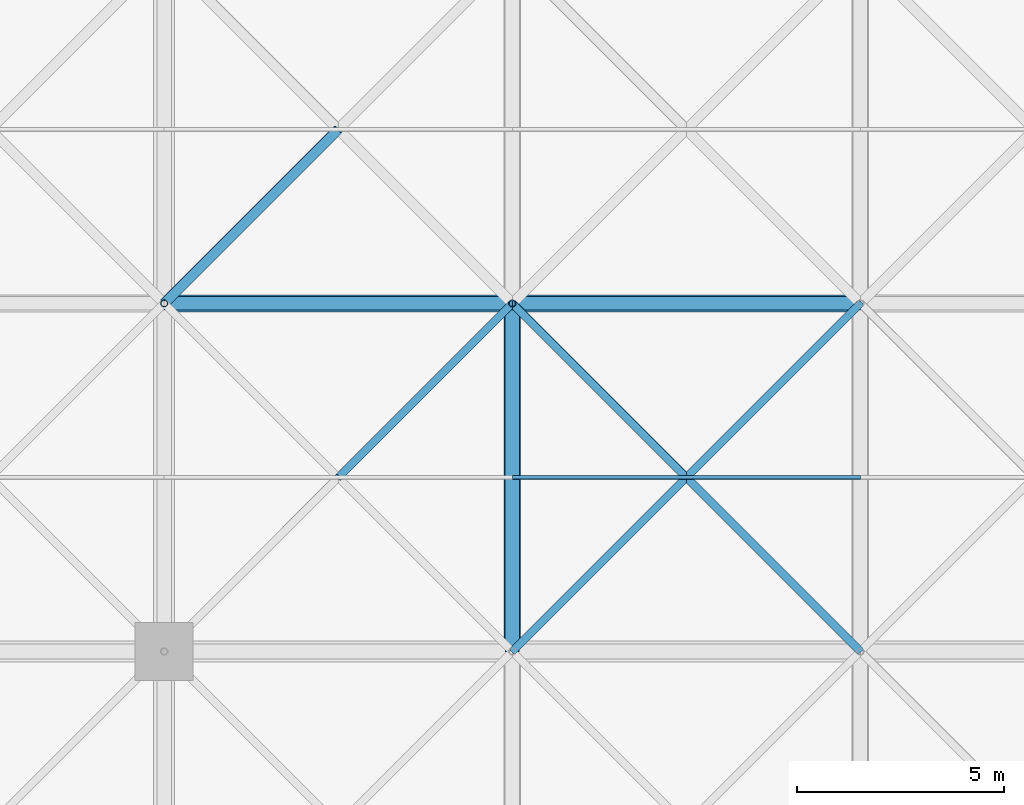
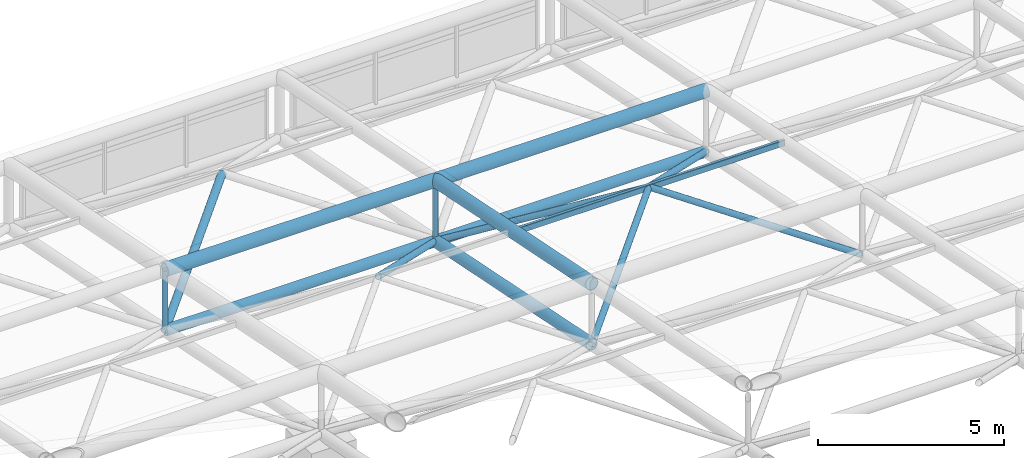
# One storey, part 54 of 110: 15 members.
"""IFC4 building model written with IfcOpenShell, lengths in metres."""

from ifc_helpers import new_model, si_unit, direction, frame, origin, origin_2d, place, context, subcontext, project, spatial, hollow_rectangle, hollow_circle, extrude, material, material_profile, profile_set, type_object, element, save


model = new_model("IFC4")

# Units and contexts
model_context = context("Model", 3, precision=1e-05, world=origin(), true_north=direction((0.0, 1.0)))
body_context = subcontext(model_context, "Body", "Model", "MODEL_VIEW")
ifc_project = project(units=[si_unit("LENGTHUNIT", "METRE"), si_unit("AREAUNIT", "SQUARE_METRE"), si_unit("VOLUMEUNIT", "CUBIC_METRE"), si_unit("PLANEANGLEUNIT", "RADIAN"), si_unit("MASSUNIT", "GRAM", prefix="KILO")], contexts=[model_context])

# Site, building, storey
site_placement = place(None, origin())
site = spatial("IfcSite", under=ifc_project, at=site_placement, CompositionType="ELEMENT")
building_placement = place(site_placement, origin())
building = spatial("IfcBuilding", under=site, at=building_placement, Name="Qawsi Khor Wholesale Market", CompositionType="ELEMENT")
storey_placement = place(building_placement, frame((0.0, 0.0, 11.39990234375)))
storey = spatial("IfcBuildingStorey", under=building, at=storey_placement, Name="L02", CompositionType="ELEMENT", Elevation=11.39990234375)

# Members
ifc_material = material(Name="Steel S355", Category="steel")
ifc_material_profile_1 = material_profile(ifc_material, hollow_circle(Radius=0.177734375, WallThickness=0.01611328125, at=origin_2d()), Name="CHS 355.6x16.0")
ifc_profile_set_1 = profile_set([ifc_material_profile_1], Name="Steel S355")
member_type_1 = type_object("IfcMemberType", Name="Space-Frame Bottom Chord CHS 355.6x16.0", PredefinedType="CHORD", material=ifc_profile_set_1)
member_1_placement = place(storey_placement, frame((168.0, 92.39990234375, 3.3701171875), z_axis=(0.0, 0.98013111127, -0.198350711418), x_axis=(-1.0, 0.0, 0.0)))
element("IfcMember", 1, at=member_1_placement, inside=storey, type_object=member_type_1, Name="Space frame bottom chord Y EH (20,11)", PredefinedType="CHORD", context=body_context, shape_type="SweptSolid", body=[
    extrude(hollow_circle(Radius=0.177734375, WallThickness=0.01611328125, at=origin_2d()), origin(), (0.0, 0.0, 1.0), 8.5703125),
])
ifc_material_profile_2 = material_profile(ifc_material, hollow_circle(Radius=0.122314453125, WallThickness=0.012451171875, at=origin_2d()), Name="CHS 244.5x12.5")
ifc_profile_set_2 = profile_set([ifc_material_profile_2], Name="Steel S355")
member_type_2 = type_object("IfcMemberType", Name="Space-Frame Heavy Diagonal CHS 244.5x12.5", PredefinedType="POST", material=ifc_profile_set_2)
member_2_placement = place(storey_placement, frame((159.60009765625, 100.800048828125, 1.670166015625), z_axis=(0.694216714393, 0.694216714393, 0.190069216113), x_axis=(-0.707106781187, 0.707106781187, 0.0)))
element("IfcMember", 2, at=member_2_placement, inside=storey, type_object=member_type_2, Name="Space frame diagonal EH (19,12)-1", PredefinedType="POST", context=body_context, shape_type="SweptSolid", body=[
    extrude(hollow_circle(Radius=0.122314453125, WallThickness=0.012451171875, at=origin_2d()), origin(), (0.0, 0.0, 1.0), 6.0498046875),
])
ifc_material_profile_3 = material_profile(ifc_material, hollow_rectangle(XDim=0.10009765625, YDim=0.199951171875, WallThickness=0.008056640625, InnerFilletRadius=0.008056640625, OuterFilletRadius=0.01611328125, at=origin_2d()), Name="RHS 200x100x8.0")
ifc_profile_set_3 = profile_set([ifc_material_profile_3], Name="Steel S355")
member_type_3 = type_object("IfcMemberType", Name="Space-Frame Purlin RHS 200x100x8.0", PredefinedType="PURLIN", material=ifc_profile_set_3)
member_3_placement = place(storey_placement, frame((168.0, 96.60009765625, 4.52001953125), z_axis=(1.0, 0.0, 0.0), x_axis=(0.0, 1.0, 0.0)))
element("IfcMember", 3, at=member_3_placement, inside=storey, type_object=member_type_3, Name="Space frame purlin EH (20,11)", PredefinedType="PURLIN", context=body_context, shape_type="SweptSolid", body=[
    extrude(hollow_rectangle(XDim=0.10009765625, YDim=0.199951171875, WallThickness=0.008056640625, InnerFilletRadius=0.008056640625, OuterFilletRadius=0.01611328125, at=origin_2d()), origin(), (0.0, 0.0, 1.0), 8.39990234375),
])
ifc_material_profile_4 = material_profile(ifc_material, hollow_circle(Radius=0.161865234375, WallThickness=0.01611328125, at=origin_2d()), Name="CHS 323.9x16.0")
ifc_profile_set_4 = profile_set([ifc_material_profile_4], Name="Steel S355")
member_type_4 = type_object("IfcMemberType", Name="Space-Frame Secondary Chord CHS 323.9x16.0", PredefinedType="CHORD", material=ifc_profile_set_4)
for number, where, z_axis, x_axis, name in (
    (4, (159.60009765625, 100.800048828125, 1.670166015625), (1.0, 0.0, 0.0), (0.0, 1.0, 0.0), "Space frame bottom chord X EH (19,12)"),
    (5, (168.0, 100.800048828125, 1.670166015625), (1.0, 0.0, 0.0), (0.0, 1.0, 0.0), "Space frame bottom chord X EH (20,12)"),
):
    element("IfcMember", number, at=place(storey_placement, frame(where, z_axis=z_axis, x_axis=x_axis)), inside=storey, type_object=member_type_4, Name=name, PredefinedType="CHORD", context=body_context, shape_type="SweptSolid", body=[
        extrude(hollow_circle(Radius=0.161865234375, WallThickness=0.01611328125, at=origin_2d()), origin(), (0.0, 0.0, 1.0), 8.39990234375),
    ])
ifc_material_profile_5 = material_profile(ifc_material, hollow_circle(Radius=0.096923828125, WallThickness=0.008056640625, at=origin_2d()), Name="CHS 193.7x8.0")
ifc_profile_set_5 = profile_set([ifc_material_profile_5], Name="Steel S355")
member_type_5 = type_object("IfcMemberType", Name="Space-Frame Secondary Diagonal CHS 193.7x8.0", PredefinedType="RAFTER", material=ifc_profile_set_5)
member_4_placement = place(storey_placement, frame((168.0, 100.800048828125, 1.670166015625), z_axis=(-0.637521961484, -0.637521961484, 0.432586982294), x_axis=(0.707106781187, -0.707106781187, 0.0)))
element("IfcMember", 6, at=member_4_placement, inside=storey, type_object=member_type_5, Name="Space frame diagonal EH (19,11)-3", PredefinedType="RAFTER", context=body_context, shape_type="SweptSolid", body=[
    extrude(hollow_circle(Radius=0.096923828125, WallThickness=0.008056640625, at=origin_2d()), origin(), (0.0, 0.0, 1.0), 6.587890625),
])
for number, where, z_axis, x_axis, name in (
    (7, (168.0, 92.39990234375, 3.3701171875), (0.694197266374, 0.694237619642, 0.19006389145), (-0.707127332136, 0.70708622964, 0.0), "Space frame diagonal EH (20,11)-1"),
    (8, (176.39990234375, 92.39990234375, 3.3701171875), (-0.694197266374, 0.694237619642, 0.19006389145), (-0.707127332136, -0.70708622964, 0.0), "Space frame diagonal EH (20,11)-2"),
):
    element("IfcMember", number, at=place(storey_placement, frame(where, z_axis=z_axis, x_axis=x_axis)), inside=storey, type_object=member_type_5, Name=name, PredefinedType="RAFTER", context=body_context, shape_type="SweptSolid", body=[
        extrude(hollow_circle(Radius=0.096923828125, WallThickness=0.008056640625, at=origin_2d()), origin(), (0.0, 0.0, 1.0), 6.050048828125),
    ])
for number, where, z_axis, x_axis, name in (
    (9, (176.39990234375, 100.800048828125, 1.670166015625), (-0.637521961484, -0.637521961484, 0.432586982294), (0.707106781187, -0.707106781187, 0.0), "Space frame diagonal EH (20,11)-3"),
    (10, (168.0, 100.800048828125, 1.670166015625), (0.637521961484, -0.637521961484, 0.432586982294), (0.707106781187, 0.707106781187, 0.0), "Space frame diagonal EH (20,11)-4"),
):
    element("IfcMember", number, at=place(storey_placement, frame(where, z_axis=z_axis, x_axis=x_axis)), inside=storey, type_object=member_type_5, Name=name, PredefinedType="RAFTER", context=body_context, shape_type="SweptSolid", body=[
        extrude(hollow_circle(Radius=0.096923828125, WallThickness=0.008056640625, at=origin_2d()), origin(), (0.0, 0.0, 1.0), 6.587890625),
    ])
ifc_material_profile_6 = material_profile(ifc_material, hollow_circle(Radius=0.203125, WallThickness=0.02001953125, at=origin_2d()), Name="CHS 406.4x20.0")
ifc_profile_set_6 = profile_set([ifc_material_profile_6], Name="Steel S355")
member_type_6 = type_object("IfcMemberType", Name="Space-Frame Top Chord CHS 406.4x20.0", PredefinedType="CHORD", material=ifc_profile_set_6)
member_5_placement = place(storey_placement, frame((159.60009765625, 100.800048828125, 3.670166015625), z_axis=(1.0, 0.0, 0.0), x_axis=(0.0, 1.0, 0.0)))
element("IfcMember", 11, at=member_5_placement, inside=storey, type_object=member_type_6, Name="Space frame top chord X EH (19,12)", PredefinedType="CHORD", context=body_context, shape_type="SweptSolid", body=[
    extrude(hollow_circle(Radius=0.203125, WallThickness=0.02001953125, at=origin_2d()), origin(), (0.0, 0.0, 1.0), 8.39990234375),
])
member_6_placement = place(storey_placement, frame((168.0, 92.39990234375, 5.3701171875), z_axis=(0.0, 0.98013111127, -0.198350711418), x_axis=(-1.0, 0.0, 0.0)))
element("IfcMember", 12, at=member_6_placement, inside=storey, type_object=member_type_6, Name="Space frame top chord Y EH (20,11)", PredefinedType="CHORD", context=body_context, shape_type="SweptSolid", body=[
    extrude(hollow_circle(Radius=0.203125, WallThickness=0.02001953125, at=origin_2d()), origin(), (0.0, 0.0, 1.0), 8.5703125),
])
member_7_placement = place(storey_placement, frame((168.0, 100.800048828125, 3.670166015625), z_axis=(1.0, 0.0, 0.0), x_axis=(0.0, 1.0, 0.0)))
element("IfcMember", 13, at=member_7_placement, inside=storey, type_object=member_type_6, Name="Space frame top chord X EH (20,12)", PredefinedType="CHORD", context=body_context, shape_type="SweptSolid", body=[
    extrude(hollow_circle(Radius=0.203125, WallThickness=0.02001953125, at=origin_2d()), origin(), (0.0, 0.0, 1.0), 8.39990234375),
])
ifc_material_profile_7 = material_profile(ifc_material, hollow_circle(Radius=0.084228515625, WallThickness=0.008056640625, at=origin_2d()), Name="CHS 168.3x8.0")
ifc_profile_set_7 = profile_set([ifc_material_profile_7], Name="Steel S355")
member_type_7 = type_object("IfcMemberType", Name="Space-Frame Vertical Strut CHS 168.3x8.0", PredefinedType="STRUT", material=ifc_profile_set_7)
for number, where, z_axis, x_axis, name in (
    (14, (159.60009765625, 100.800048828125, 1.670166015625), (0.0, 0.0, 1.0), (1.0, 0.0, 0.0), "Space frame post EH (19,12)"),
    (15, (168.0, 100.800048828125, 1.670166015625), (0.0, 0.0, 1.0), (1.0, 0.0, 0.0), "Space frame post EH (20,12)"),
):
    element("IfcMember", number, at=place(storey_placement, frame(where, z_axis=z_axis, x_axis=x_axis)), inside=storey, type_object=member_type_7, Name=name, PredefinedType="STRUT", context=body_context, shape_type="SweptSolid", body=[
        extrude(hollow_circle(Radius=0.084228515625, WallThickness=0.008056640625, at=origin_2d()), origin(), (0.0, 0.0, 1.0), 2.0),
    ])

save(model, "model.ifc")
